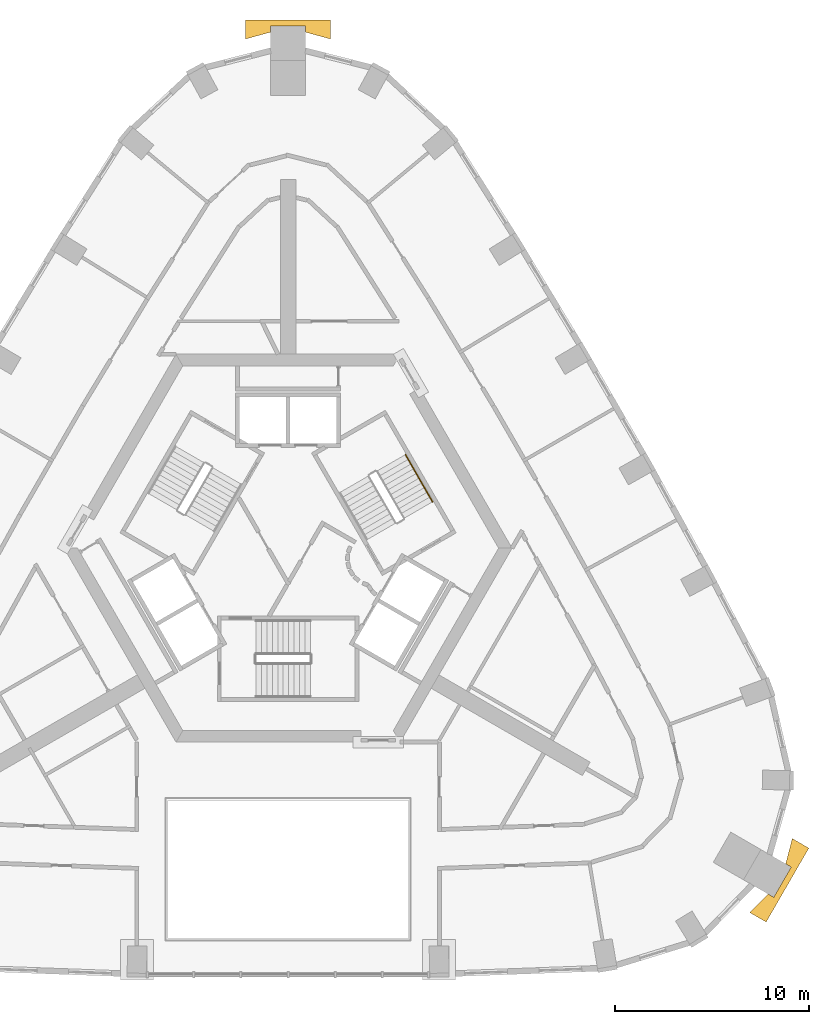
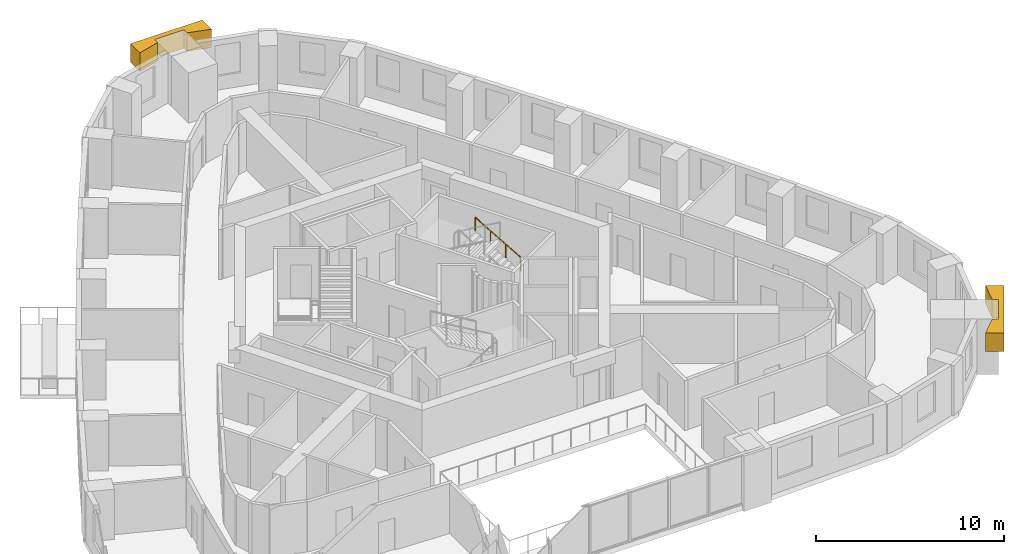
# One storey, part 11 of 11: 2 coverings, 1 railing.
"""IFC4 building model written with IfcOpenShell, lengths in metres."""

from ifc_helpers import new_model, si_unit, direction, frame, origin, origin_2d, place, context, subcontext, project, spatial, polyline, circle, outline, extrude, material, type_object, element, save


model = new_model("IFC4")

# Units and contexts
model_context = context("Model", 3, precision=1e-05, world=origin(), true_north=direction((0.0, 1.0)))
body_context = subcontext(model_context, "Body", "Model", "MODEL_VIEW")
ifc_project = project(units=[si_unit("LENGTHUNIT", "METRE"), si_unit("AREAUNIT", "SQUARE_METRE"), si_unit("VOLUMEUNIT", "CUBIC_METRE"), si_unit("PLANEANGLEUNIT", "RADIAN"), si_unit("MASSUNIT", "GRAM", prefix="KILO")], contexts=[model_context])

# Site, building, storey
site_placement = place(None, origin())
site = spatial("IfcSite", under=ifc_project, at=site_placement, CompositionType="ELEMENT")
building_placement = place(site_placement, origin())
building = spatial("IfcBuilding", under=site, at=building_placement, Name="Entoto Arch Interchange Tower", CompositionType="ELEMENT")
storey_placement = place(building_placement, frame((0.0, 0.0, 248.60009765625)))
storey = spatial("IfcBuildingStorey", under=building, at=storey_placement, Name="L56", CompositionType="ELEMENT", Elevation=248.60009765625)

# Coverings
ifc_material_1 = material(Name="Board-marked precast concrete C50/60", Category="concrete")
covering_type = type_object("IfcCoveringType", Name="PRECAST FRAME COURSE", PredefinedType="CLADDING", material=ifc_material_1)
covering_1_placement = place(storey_placement, frame((0.0, 0.0, 2.059814453125)))
element("IfcCovering", 1, at=covering_1_placement, inside=storey, type_object=covering_type, Name="Corner pilaster head SE L54-L56", PredefinedType="CLADDING", context=body_context, shape_type="SweptSolid", body=[
    extrude(outline(polyline([(26.845947265625, -12.9599609375), (24.64599609375, -16.77001953125), (23.79296875, -16.278076171875), (24.751953125, -15.330078125), (25.035888671875, -15.493896484375), (25.93603515625, -13.93603515625), (25.652099609375, -13.77099609375), (25.992919921875, -12.467041015625), (26.845947265625, -12.9599609375)])), origin(), (0.0, 0.0, 1.0), 1.2001953125),
])
covering_2_placement = place(storey_placement, frame((0.0, 0.0, 2.059814453125)))
element("IfcCovering", 2, at=covering_2_placement, inside=storey, type_object=covering_type, Name="Corner pilaster head N L54-L56", PredefinedType="CLADDING", context=body_context, shape_type="SweptSolid", body=[
    extrude(outline(polyline([(-2.199951171875, 29.72900390625), (2.199951171875, 29.72900390625), (2.199951171875, 28.7451171875), (0.89990234375, 29.10107421875), (0.89990234375, 29.428955078125), (-0.89990234375, 29.428955078125), (-0.89990234375, 29.10107421875), (-2.199951171875, 28.7451171875), (-2.199951171875, 29.72900390625)])), origin(), (0.0, 0.0, 1.0), 1.2001953125),
])

# Railing
ifc_material_2 = material(Name="Stainless steel 1.4301", Category="steel")
railing_type = type_object("IfcRailingType", Name="STAIR HANDRAIL 900 STEEL", PredefinedType="HANDRAIL", material=ifc_material_2)
railing_placement = place(storey_placement, frame((7.4501953125, 4.89599609375, 0.16357421875)))
element("IfcRailing", 3, at=railing_placement, inside=storey, type_object=railing_type, Name="L56 ST-NE stair handrail 1", PredefinedType="HANDRAIL", context=body_context, shape_type="SweptSolid", body=[
    extrude(circle(Radius=0.02392578125, at=origin_2d()), frame((0.0, 0.0, 0.8759765625), z_axis=(-0.431713979052, 0.747727106176, 0.504506902808), x_axis=(-0.866018616679, -0.500011755427, 0.0)), (0.0, 0.0, 1.0), 3.2431640625),
    extrude(circle(Radius=0.02099609375, at=origin_2d()), origin(), (0.0, 0.0, 1.0), 0.851806640625),
    extrude(circle(Radius=0.02099609375, at=origin_2d()), frame((-0.466796875, 0.808349609375, 0.54541015625)), (0.0, 0.0, 1.0), 0.851806640625),
    extrude(circle(Radius=0.02099609375, at=origin_2d()), frame((-0.933349609375, 1.61669921875, 1.0908203125)), (0.0, 0.0, 1.0), 0.851806640625),
    extrude(circle(Radius=0.02099609375, at=origin_2d()), frame((-1.400146484375, 2.425048828125, 1.63623046875)), (0.0, 0.0, 1.0), 0.851806640625),
])

save(model, "model.ifc")
